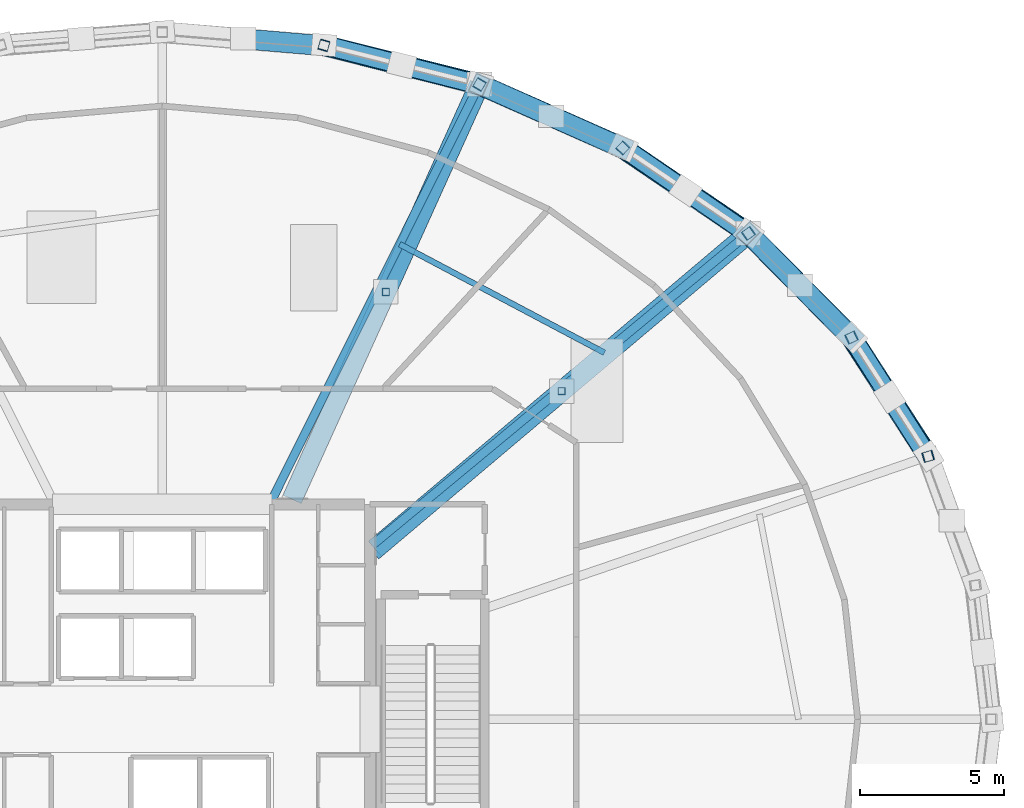
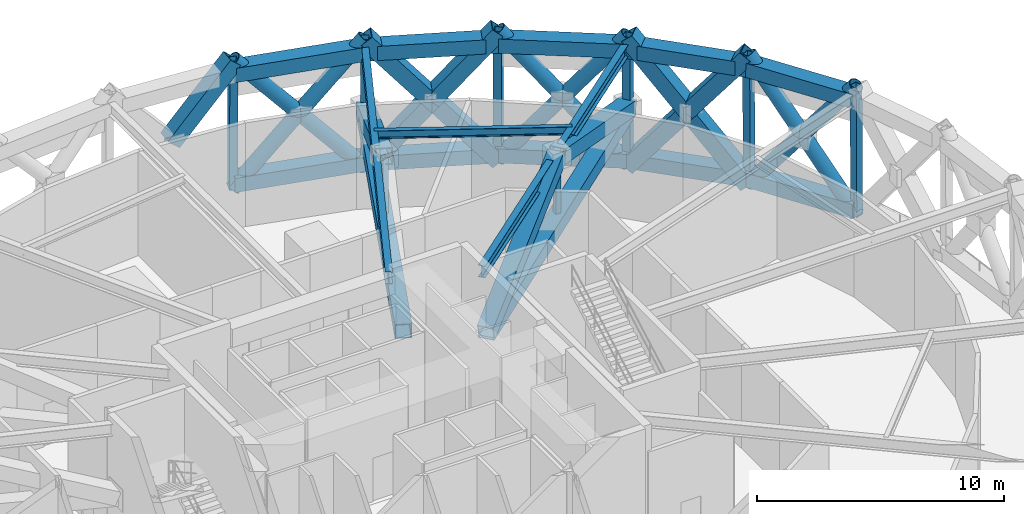
# One storey, part 6 of 15: 27 members, 15 beams.
"""IFC4 building model written with IfcOpenShell, lengths in metres."""

from ifc_helpers import new_model, si_unit, direction, frame, origin, origin_2d, place, context, subcontext, project, spatial, hollow_rectangle, hollow_circle, i_section, extrude, material, material_profile, profile_set, type_object, element, save


model = new_model("IFC4")

# Units and contexts
model_context = context("Model", 3, precision=1e-05, world=origin(), true_north=direction((0.0, 1.0)))
body_context = subcontext(model_context, "Body", "Model", "MODEL_VIEW")
ifc_project = project(units=[si_unit("LENGTHUNIT", "METRE"), si_unit("AREAUNIT", "SQUARE_METRE"), si_unit("VOLUMEUNIT", "CUBIC_METRE"), si_unit("PLANEANGLEUNIT", "RADIAN"), si_unit("MASSUNIT", "GRAM", prefix="KILO")], contexts=[model_context])

# Site, building, storey
site_placement = place(None, origin())
site = spatial("IfcSite", under=ifc_project, at=site_placement, CompositionType="ELEMENT")
building_placement = place(site_placement, origin())
building = spatial("IfcBuilding", under=site, at=building_placement, Name="Veldorina Hangang Commons", CompositionType="ELEMENT")
storey_placement = place(building_placement, frame((0.0, 0.0, 110.800048828125)))
storey = spatial("IfcBuildingStorey", under=building, at=storey_placement, Name="L28", CompositionType="ELEMENT", Elevation=110.800048828125)

# Beams
ifc_material_1 = material(Name="Steel SM460-TMC", Category="steel")
ifc_material_profile_1 = material_profile(ifc_material_1, hollow_rectangle(XDim=0.699951171875, YDim=0.699951171875, WallThickness=0.034912109375, at=origin_2d()), Name="BOX-700x700x35")
ifc_profile_set_1 = profile_set([ifc_material_profile_1], Name="Steel SM460-TMC")
beam_type_1 = type_object("IfcBeamType", Name="BM-BLT700", PredefinedType="BEAM", material=ifc_profile_set_1)
beam_1_placement = place(storey_placement, frame((58.524658203125, 33.106689453125, 5.800048828125), z_axis=(-0.541941702244, 0.840416082288, 0.0), x_axis=(-0.840416082288, -0.541941702244, 0.0)))
element("IfcBeam", 1, at=beam_1_placement, inside=storey, type_object=beam_type_1, Name="L28 perimeter hoop ring beam 02", PredefinedType="BEAM", context=body_context, shape_type="SweptSolid", body=[
    extrude(hollow_rectangle(XDim=0.699951171875, YDim=0.699951171875, WallThickness=0.034912109375, at=origin_2d()), origin(), (0.0, 0.0, 1.0), 4.8955078125),
])
beam_2_placement = place(storey_placement, frame((55.87158203125, 37.220947265625, 5.800048828125), z_axis=(-0.703561848437, 0.710634030584, 0.0), x_axis=(-0.710634030584, -0.703561848437, 0.0)))
element("IfcBeam", 2, at=beam_2_placement, inside=storey, type_object=beam_type_1, Name="L28 perimeter hoop ring beam 03", PredefinedType="BEAM", context=body_context, shape_type="SweptSolid", body=[
    extrude(hollow_rectangle(XDim=0.699951171875, YDim=0.699951171875, WallThickness=0.034912109375, at=origin_2d()), origin(), (0.0, 0.0, 1.0), 5.07470703125),
])
beam_3_placement = place(storey_placement, frame((52.30126953125, 40.8271484375, 5.800048828125), z_axis=(-0.82684623749, 0.56242803944, 0.0), x_axis=(-0.56242803944, -0.82684623749, 0.0)))
element("IfcBeam", 3, at=beam_3_placement, inside=storey, type_object=beam_type_1, Name="L28 perimeter hoop ring beam 04", PredefinedType="BEAM", context=body_context, shape_type="SweptSolid", body=[
    extrude(hollow_rectangle(XDim=0.699951171875, YDim=0.699951171875, WallThickness=0.034912109375, at=origin_2d()), origin(), (0.0, 0.0, 1.0), 5.261962890625),
])
beam_4_placement = place(storey_placement, frame((47.950439453125, 43.78662109375, 5.800048828125), z_axis=(-0.914294911921, 0.405049150149, 0.0), x_axis=(-0.405049150149, -0.914294911921, 0.0)))
element("IfcBeam", 4, at=beam_4_placement, inside=storey, type_object=beam_type_1, Name="L28 perimeter hoop ring beam 05", PredefinedType="BEAM", context=body_context, shape_type="SweptSolid", body=[
    extrude(hollow_rectangle(XDim=0.699951171875, YDim=0.699951171875, WallThickness=0.034912109375, at=origin_2d()), origin(), (0.0, 0.0, 1.0), 5.428955078125),
])
beam_5_placement = place(storey_placement, frame((42.98681640625, 45.985595703125, 5.800048828125), z_axis=(-0.969810585596, 0.243859443259, 0.0), x_axis=(-0.243859443259, -0.969810585596, 0.0)))
element("IfcBeam", 5, at=beam_5_placement, inside=storey, type_object=beam_type_1, Name="L28 perimeter hoop ring beam 06", PredefinedType="BEAM", context=body_context, shape_type="SweptSolid", body=[
    extrude(hollow_rectangle(XDim=0.699951171875, YDim=0.699951171875, WallThickness=0.034912109375, at=origin_2d()), origin(), (0.0, 0.0, 1.0), 5.553466796875),
])
beam_6_placement = place(storey_placement, frame((58.55712890625, 33.1162109375, 0.349853515625), z_axis=(-0.542013393929, 0.840369847628, 0.0), x_axis=(-0.840369847628, -0.542013393929, 0.0)))
element("IfcBeam", 6, at=beam_6_placement, inside=storey, type_object=beam_type_1, Name="L28 perimeter belt truss bottom chord 02", PredefinedType="BEAM", context=body_context, shape_type="SweptSolid", body=[
    extrude(hollow_rectangle(XDim=0.699951171875, YDim=0.699951171875, WallThickness=0.034912109375, at=origin_2d()), origin(), (0.0, 0.0, 1.0), 4.900634765625),
])
beam_7_placement = place(storey_placement, frame((55.90087890625, 37.234619140625, 0.349853515625), z_axis=(-0.70366253431, 0.710534332603, 0.0), x_axis=(-0.710534332603, -0.70366253431, 0.0)))
element("IfcBeam", 7, at=beam_7_placement, inside=storey, type_object=beam_type_1, Name="L28 perimeter belt truss bottom chord 03", PredefinedType="BEAM", context=body_context, shape_type="SweptSolid", body=[
    extrude(hollow_rectangle(XDim=0.699951171875, YDim=0.699951171875, WallThickness=0.034912109375, at=origin_2d()), origin(), (0.0, 0.0, 1.0), 5.08056640625),
])
beam_8_placement = place(storey_placement, frame((52.325927734375, 40.844482421875, 0.349853515625), z_axis=(-0.826895468629, 0.562355656112, 0.0), x_axis=(-0.562355656112, -0.826895468629, 0.0)))
element("IfcBeam", 8, at=beam_8_placement, inside=storey, type_object=beam_type_1, Name="L28 perimeter belt truss bottom chord 04", PredefinedType="BEAM", context=body_context, shape_type="SweptSolid", body=[
    extrude(hollow_rectangle(XDim=0.699951171875, YDim=0.699951171875, WallThickness=0.034912109375, at=origin_2d()), origin(), (0.0, 0.0, 1.0), 5.267822265625),
])
beam_9_placement = place(storey_placement, frame((47.969970703125, 43.806884765625, 0.349853515625), z_axis=(-0.914312800073, 0.40500876981, 0.0), x_axis=(-0.40500876981, -0.914312800073, 0.0)))
element("IfcBeam", 9, at=beam_9_placement, inside=storey, type_object=beam_type_1, Name="L28 perimeter belt truss bottom chord 05", PredefinedType="BEAM", context=body_context, shape_type="SweptSolid", body=[
    extrude(hollow_rectangle(XDim=0.699951171875, YDim=0.699951171875, WallThickness=0.034912109375, at=origin_2d()), origin(), (0.0, 0.0, 1.0), 5.435546875),
])
beam_10_placement = place(storey_placement, frame((43.000244140625, 46.00830078125, 0.349853515625), z_axis=(-0.969818780043, 0.243826852247, 0.0), x_axis=(-0.243826852247, -0.969818780043, 0.0)))
element("IfcBeam", 10, at=beam_10_placement, inside=storey, type_object=beam_type_1, Name="L28 perimeter belt truss bottom chord 06", PredefinedType="BEAM", context=body_context, shape_type="SweptSolid", body=[
    extrude(hollow_rectangle(XDim=0.699951171875, YDim=0.699951171875, WallThickness=0.034912109375, at=origin_2d()), origin(), (0.0, 0.0, 1.0), 5.56005859375),
])
beam_11_placement = place(storey_placement, frame((39.3701171875, 29.89990234375, 2.849853515625), z_axis=(0.763858806118, 0.645383393275, 0.0), x_axis=(-0.645383393275, 0.763858806118, 0.0)))
element("IfcBeam", 11, at=beam_11_placement, inside=storey, type_object=beam_type_1, Name="L28 outrigger chord 01", PredefinedType="BEAM", context=body_context, shape_type="SweptSolid", body=[
    extrude(hollow_rectangle(XDim=0.699951171875, YDim=0.699951171875, WallThickness=0.034912109375, at=origin_2d()), origin(), (0.0, 0.0, 1.0), 16.945068359375),
])
beam_12_placement = place(storey_placement, frame((36.5, 31.6201171875, 2.849853515625), z_axis=(0.411624869804, 0.91135337085, 0.0), x_axis=(-0.91135337085, 0.411624869804, 0.0)))
element("IfcBeam", 12, at=beam_12_placement, inside=storey, type_object=beam_type_1, Name="L28 outrigger chord 02", PredefinedType="BEAM", context=body_context, shape_type="SweptSolid", body=[
    extrude(hollow_rectangle(XDim=0.699951171875, YDim=0.699951171875, WallThickness=0.034912109375, at=origin_2d()), origin(), (0.0, 0.0, 1.0), 15.775634765625),
])
ifc_material_profile_2 = material_profile(ifc_material_1, i_section(OverallWidth=0.300048828125, OverallDepth=0.587890625, WebThickness=0.011962890625, FlangeThickness=0.02001953125, FilletRadius=0.01806640625, at=origin_2d()), Name="H-588x300x12x20")
ifc_profile_set_2 = profile_set([ifc_material_profile_2], Name="Steel SM460-TMC")
beam_type_2 = type_object("IfcBeamType", Name="BM-FG588", PredefinedType="BEAM", material=ifc_profile_set_2)
beam_13_placement = place(storey_placement, frame((39.199951171875, 29.968017578125, 5.85595703125), z_axis=(0.769913202831, 0.638148619137, 0.0), x_axis=(-0.638148619137, 0.769913202831, 0.0)))
element("IfcBeam", 13, at=beam_13_placement, inside=storey, type_object=beam_type_2, Name="L28 radial floor girder 03", PredefinedType="BEAM", context=body_context, shape_type="SweptSolid", body=[
    extrude(i_section(OverallWidth=0.300048828125, OverallDepth=0.587890625, WebThickness=0.011962890625, FlangeThickness=0.02001953125, FilletRadius=0.01806640625, at=origin_2d()), origin(), (0.0, 0.0, 1.0), 17.0166015625),
])
beam_14_placement = place(storey_placement, frame((35.722900390625, 31.449951171875, 5.85595703125), z_axis=(0.447021272714, 0.89452332655, 0.0), x_axis=(-0.89452332655, 0.447021272714, 0.0)))
element("IfcBeam", 14, at=beam_14_placement, inside=storey, type_object=beam_type_2, Name="L28 radial floor girder 04", PredefinedType="BEAM", context=body_context, shape_type="SweptSolid", body=[
    extrude(i_section(OverallWidth=0.300048828125, OverallDepth=0.587890625, WebThickness=0.011962890625, FlangeThickness=0.02001953125, FilletRadius=0.01806640625, at=origin_2d()), origin(), (0.0, 0.0, 1.0), 16.24951171875),
])
ifc_material_2 = material(Name="Steel SM355-TMC", Category="steel")
ifc_material_profile_3 = material_profile(ifc_material_2, i_section(OverallWidth=0.199951171875, OverallDepth=0.39990234375, WebThickness=0.008056640625, FlangeThickness=0.012939453125, FilletRadius=0.012939453125, at=origin_2d()), Name="H-400x200x8x13")
ifc_profile_set_3 = profile_set([ifc_material_profile_3], Name="Steel SM355-TMC")
beam_type_3 = type_object("IfcBeamType", Name="BM-JST400", PredefinedType="JOIST", material=ifc_profile_set_3)
beam_15_placement = place(storey_placement, frame((47.32275390625, 36.70068359375, 5.949951171875), z_axis=(-0.883547491479, 0.46834157439, 0.0), x_axis=(-0.46834157439, -0.883547491479, 0.0)))
element("IfcBeam", 15, at=beam_15_placement, inside=storey, type_object=beam_type_3, Name="L28 secondary floor joist 03", PredefinedType="JOIST", context=body_context, shape_type="SweptSolid", body=[
    extrude(i_section(OverallWidth=0.199951171875, OverallDepth=0.39990234375, WebThickness=0.008056640625, FlangeThickness=0.012939453125, FilletRadius=0.012939453125, at=origin_2d()), origin(), (0.0, 0.0, 1.0), 8.031494140625),
])

# Members
ifc_material_profile_4 = material_profile(ifc_material_1, hollow_circle(Radius=0.324951171875, WallThickness=0.031982421875, at=origin_2d()), Name="CHS-650x32")
ifc_profile_set_4 = profile_set([ifc_material_profile_4], Name="Steel SM460-TMC")
member_type_1 = type_object("IfcMemberType", Name="DG-CHS650", PredefinedType="BRACE", material=ifc_profile_set_4)
member_1_placement = place(storey_placement, frame((58.55712890625, 33.1162109375, 0.0), z_axis=(-0.333404230763, 0.508856239234, 0.793666773087), x_axis=(-0.836449329173, -0.548044268035, 0.0)))
element("IfcMember", 16, at=member_1_placement, inside=storey, type_object=member_type_1, Name="L28 continuous perimeter diagrid brace 02", PredefinedType="BRACE", context=body_context, shape_type="SweptSolid", body=[
    extrude(hollow_circle(Radius=0.324951171875, WallThickness=0.031982421875, at=origin_2d()), origin(), (0.0, 0.0, 1.0), 8.063720703125),
])
member_2_placement = place(storey_placement, frame((55.90087890625, 37.234619140625, 0.0), z_axis=(0.325357923419, -0.512575052538, 0.794612507569), x_axis=(0.844277321065, 0.535906526491, 0.0)))
element("IfcMember", 17, at=member_2_placement, inside=storey, type_object=member_type_1, Name="L28 split perimeter diagrid lower brace 03", PredefinedType="BRACE", context=body_context, shape_type="SweptSolid", body=[
    extrude(hollow_circle(Radius=0.324951171875, WallThickness=0.031982421875, at=origin_2d()), origin(), (0.0, 0.0, 1.0), 4.029541015625),
])
member_3_placement = place(storey_placement, frame((57.2119140625, 35.169189453125, 3.201904296875), z_axis=(0.325310104017, -0.512683386006, 0.794562195136), x_axis=(0.84436418494, 0.535769654973, 0.0)))
element("IfcMember", 18, at=member_3_placement, inside=storey, type_object=member_type_1, Name="L28 split perimeter diagrid upper brace 03", PredefinedType="BRACE", context=body_context, shape_type="SweptSolid", body=[
    extrude(hollow_circle(Radius=0.324951171875, WallThickness=0.031982421875, at=origin_2d()), origin(), (0.0, 0.0, 1.0), 4.02490234375),
])
member_4_placement = place(storey_placement, frame((52.325927734375, 40.844482421875, 0.0), z_axis=(-0.527885556882, 0.354534181594, 0.771778694262), x_axis=(-0.557539039616, -0.830150720836, 0.0)))
element("IfcMember", 19, at=member_4_placement, inside=storey, type_object=member_type_1, Name="L28 continuous perimeter diagrid brace 04", PredefinedType="BRACE", context=body_context, shape_type="SweptSolid", body=[
    extrude(hollow_circle(Radius=0.324951171875, WallThickness=0.031982421875, at=origin_2d()), origin(), (0.0, 0.0, 1.0), 8.29248046875),
])
member_5_placement = place(storey_placement, frame((47.969970703125, 43.806884765625, 0.0), z_axis=(0.522712583066, -0.359965186558, 0.772784976543), x_axis=(0.567170909608, 0.82360012099, 0.0)))
element("IfcMember", 20, at=member_5_placement, inside=storey, type_object=member_type_1, Name="L28 split perimeter diagrid lower brace 05", PredefinedType="BRACE", context=body_context, shape_type="SweptSolid", body=[
    extrude(hollow_circle(Radius=0.324951171875, WallThickness=0.031982421875, at=origin_2d()), origin(), (0.0, 0.0, 1.0), 4.143310546875),
])
member_6_placement = place(storey_placement, frame((50.1357421875, 42.3154296875, 3.201904296875), z_axis=(0.522634859248, -0.360104208246, 0.772772775854), x_axis=(0.567376675498, 0.823458382738, 0.0)))
element("IfcMember", 21, at=member_6_placement, inside=storey, type_object=member_type_1, Name="L28 split perimeter diagrid upper brace 05", PredefinedType="BRACE", context=body_context, shape_type="SweptSolid", body=[
    extrude(hollow_circle(Radius=0.324951171875, WallThickness=0.031982421875, at=origin_2d()), origin(), (0.0, 0.0, 1.0), 4.138427734375),
])
member_7_placement = place(storey_placement, frame((43.000244140625, 46.00830078125, 0.0), z_axis=(-0.636896943697, 0.156762228117, 0.754842955153), x_axis=(-0.23900121597, -0.971019267968, 0.0)))
element("IfcMember", 22, at=member_7_placement, inside=storey, type_object=member_type_1, Name="L28 continuous perimeter diagrid brace 06", PredefinedType="BRACE", context=body_context, shape_type="SweptSolid", body=[
    extrude(hollow_circle(Radius=0.324951171875, WallThickness=0.031982421875, at=origin_2d()), origin(), (0.0, 0.0, 1.0), 8.478515625),
])
member_8_placement = place(storey_placement, frame((37.60791015625, 47.364013671875, 0.0), z_axis=(0.634718045653, -0.162926898752, 0.755372641936), x_axis=(0.248631194084, 0.968598229055, 0.0)))
element("IfcMember", 23, at=member_8_placement, inside=storey, type_object=member_type_1, Name="L28 split perimeter diagrid lower brace 07", PredefinedType="BRACE", context=body_context, shape_type="SweptSolid", body=[
    extrude(hollow_circle(Radius=0.324951171875, WallThickness=0.031982421875, at=origin_2d()), origin(), (0.0, 0.0, 1.0), 4.2392578125),
])
member_9_placement = place(storey_placement, frame((40.298583984375, 46.67333984375, 3.2021484375), z_axis=(0.634717082845, -0.162975692906, 0.755362924869), x_axis=(0.248701404356, 0.968580203944, 0.0)))
element("IfcMember", 24, at=member_9_placement, inside=storey, type_object=member_type_1, Name="L28 split perimeter diagrid upper brace 07", PredefinedType="BRACE", context=body_context, shape_type="SweptSolid", body=[
    extrude(hollow_circle(Radius=0.324951171875, WallThickness=0.031982421875, at=origin_2d()), origin(), (0.0, 0.0, 1.0), 4.2333984375),
])
ifc_material_profile_5 = material_profile(ifc_material_1, hollow_rectangle(XDim=0.699951171875, YDim=0.699951171875, WallThickness=0.034912109375, at=origin_2d()), Name="BOX-700x700x35")
ifc_profile_set_5 = profile_set([ifc_material_profile_5], Name="Steel SM460-TMC")
member_type_2 = type_object("IfcMemberType", Name="OR-BOX700", PredefinedType="BRACE", material=ifc_profile_set_5)
member_10_placement = place(storey_placement, frame((55.90087890625, 37.234619140625, 0.0), z_axis=(-0.440657946951, 0.439224427367, 0.782880882506), x_axis=(-0.705953813665, -0.708257871804, 0.0)))
element("IfcMember", 25, at=member_10_placement, inside=storey, type_object=member_type_2, Name="L28 belt truss continuous brace 03", PredefinedType="BRACE", context=body_context, shape_type="SweptSolid", body=[
    extrude(hollow_rectangle(XDim=0.699951171875, YDim=0.699951171875, WallThickness=0.034912109375, at=origin_2d()), origin(), (0.0, 0.0, 1.0), 8.1748046875),
])
member_11_placement = place(storey_placement, frame((52.325927734375, 40.844482421875, 0.0), z_axis=(0.434004843577, -0.443986775663, 0.783910415027), x_axis=(0.715099700986, 0.699022472922, 0.0)))
element("IfcMember", 26, at=member_11_placement, inside=storey, type_object=member_type_2, Name="L28 belt truss split lower brace 04", PredefinedType="BRACE", context=body_context, shape_type="SweptSolid", body=[
    extrude(hollow_rectangle(XDim=0.699951171875, YDim=0.699951171875, WallThickness=0.034912109375, at=origin_2d()), origin(), (0.0, 0.0, 1.0), 4.08447265625),
])
member_12_placement = place(storey_placement, frame((54.0986328125, 39.031005859375, 3.201904296875), z_axis=(0.433888559331, -0.444062497964, 0.783931894991), x_axis=(0.715252905924, 0.698865709966, 0.0)))
element("IfcMember", 27, at=member_12_placement, inside=storey, type_object=member_type_2, Name="L28 belt truss split upper brace 04", PredefinedType="BRACE", context=body_context, shape_type="SweptSolid", body=[
    extrude(hollow_rectangle(XDim=0.699951171875, YDim=0.699951171875, WallThickness=0.034912109375, at=origin_2d()), origin(), (0.0, 0.0, 1.0), 4.079345703125),
])
member_13_placement = place(storey_placement, frame((47.969970703125, 43.806884765625, 0.0), z_axis=(-0.593462275041, 0.259145581014, 0.76200137529), x_axis=(-0.400178233075, -0.916437331067, 0.0)))
element("IfcMember", 28, at=member_13_placement, inside=storey, type_object=member_type_2, Name="L28 belt truss continuous brace 05", PredefinedType="BRACE", context=body_context, shape_type="SweptSolid", body=[
    extrude(hollow_rectangle(XDim=0.699951171875, YDim=0.699951171875, WallThickness=0.034912109375, at=origin_2d()), origin(), (0.0, 0.0, 1.0), 8.39892578125),
])
member_14_placement = place(storey_placement, frame((43.000244140625, 46.00830078125, 0.0), z_axis=(0.589796821865, -0.265033440217, 0.762821725232), x_axis=(0.409882167329, 0.912138481211, 0.0)))
element("IfcMember", 29, at=member_14_placement, inside=storey, type_object=member_type_2, Name="L28 belt truss split lower brace 06", PredefinedType="BRACE", context=body_context, shape_type="SweptSolid", body=[
    extrude(hollow_rectangle(XDim=0.699951171875, YDim=0.699951171875, WallThickness=0.034912109375, at=origin_2d()), origin(), (0.0, 0.0, 1.0), 4.19775390625),
])
member_15_placement = place(storey_placement, frame((45.47607421875, 44.895751953125, 3.2021484375), z_axis=(0.58978226074, -0.265102088564, 0.762809129177), x_axis=(0.409978912402, 0.912095001294, 0.0)))
element("IfcMember", 30, at=member_15_placement, inside=storey, type_object=member_type_2, Name="L28 belt truss split upper brace 06", PredefinedType="BRACE", context=body_context, shape_type="SweptSolid", body=[
    extrude(hollow_rectangle(XDim=0.699951171875, YDim=0.699951171875, WallThickness=0.034912109375, at=origin_2d()), origin(), (0.0, 0.0, 1.0), 4.192138671875),
])
member_16_placement = place(storey_placement, frame((34.802001953125, 47.579345703125, 3.2021484375), z_axis=(0.657480406743, -0.056845496692, 0.751324233774), x_axis=(0.086138252024, 0.996283193444, 0.0)))
element("IfcMember", 31, at=member_16_placement, inside=storey, type_object=member_type_2, Name="L28 belt truss split upper brace 08", PredefinedType="BRACE", context=body_context, shape_type="SweptSolid", body=[
    extrude(hollow_rectangle(XDim=0.699951171875, YDim=0.699951171875, WallThickness=0.034912109375, at=origin_2d()), origin(), (0.0, 0.0, 1.0), 4.256103515625),
])
member_17_placement = place(storey_placement, frame((39.3701171875, 29.89990234375, 2.849853515625), z_axis=(0.715965277073, 0.604929617874, 0.348502337788), x_axis=(-0.645390496113, 0.763852804883, 0.0)))
element("IfcMember", 32, at=member_17_placement, inside=storey, type_object=member_type_2, Name="L28 outrigger inner web diagonal 01", PredefinedType="BRACE", context=body_context, shape_type="SweptSolid", body=[
    extrude(hollow_rectangle(XDim=0.699951171875, YDim=0.699951171875, WallThickness=0.034912109375, at=origin_2d()), origin(), (0.0, 0.0, 1.0), 9.0390625),
])
member_18_placement = place(storey_placement, frame((45.841796875, 35.367919921875, 6.0), z_axis=(0.715978440905, 0.604917919988, -0.348495598589), x_axis=(-0.645376290538, 0.763864807156, 0.0)))
element("IfcMember", 33, at=member_18_placement, inside=storey, type_object=member_type_2, Name="L28 outrigger outer web diagonal 01", PredefinedType="BRACE", context=body_context, shape_type="SweptSolid", body=[
    extrude(hollow_rectangle(XDim=0.699951171875, YDim=0.699951171875, WallThickness=0.034912109375, at=origin_2d()), origin(), (0.0, 0.0, 1.0), 9.039306640625),
])
member_19_placement = place(storey_placement, frame((39.746826171875, 38.80859375, 6.0), z_axis=(0.382262691815, 0.846358745807, -0.3708801799), x_axis=(-0.911355992934, 0.411619064358, 0.0)))
element("IfcMember", 34, at=member_19_placement, inside=storey, type_object=member_type_2, Name="L28 outrigger outer web diagonal 02", PredefinedType="BRACE", context=body_context, shape_type="SweptSolid", body=[
    extrude(hollow_rectangle(XDim=0.699951171875, YDim=0.699951171875, WallThickness=0.034912109375, at=origin_2d()), origin(), (0.0, 0.0, 1.0), 8.49365234375),
])
ifc_material_profile_6 = material_profile(ifc_material_2, hollow_rectangle(XDim=0.25, YDim=0.25, WallThickness=0.011962890625, at=origin_2d()), Name="SHS-250x250x12")
ifc_profile_set_6 = profile_set([ifc_material_profile_6], Name="Steel SM355-TMC")
member_type_3 = type_object("IfcMemberType", Name="STR-SHS250", PredefinedType="STRUT", material=ifc_profile_set_6)
for number, where, z_axis, x_axis, name in (
    (35, (45.841796875, 35.367919921875, 2.849853515625), (0.0, 0.0, 1.0), (1.0, 0.0, 0.0), "L28 outrigger mid vertical strut 01"),
    (36, (39.746826171875, 38.80859375, 2.849853515625), (0.0, 0.0, 1.0), (1.0, 0.0, 0.0), "L28 outrigger mid vertical strut 02"),
):
    element("IfcMember", number, at=place(storey_placement, frame(where, z_axis=z_axis, x_axis=x_axis)), inside=storey, type_object=member_type_3, Name=name, PredefinedType="STRUT", context=body_context, shape_type="SweptSolid", body=[
        extrude(hollow_rectangle(XDim=0.25, YDim=0.25, WallThickness=0.011962890625, at=origin_2d()), origin(), (0.0, 0.0, 1.0), 3.150146484375),
    ])
ifc_material_profile_7 = material_profile(ifc_material_2, hollow_rectangle(XDim=0.35009765625, YDim=0.35009765625, WallThickness=0.01611328125, at=origin_2d()), Name="SHS-350x350x16")
ifc_profile_set_7 = profile_set([ifc_material_profile_7], Name="Steel SM355-TMC")
member_type_4 = type_object("IfcMemberType", Name="STR-SHS350", PredefinedType="STRUT", material=ifc_profile_set_7)
for number, where, z_axis, x_axis, name in (
    (37, (58.55712890625, 33.1162109375, 0.0), (-0.005607594835, -0.001640316856, 0.999982931975), (0.280752068438, -0.959780326985, 0.0), "L28 perimeter ring node post 02"),
    (38, (55.90087890625, 37.234619140625, 0.0), (-0.005035399304, -0.002365111794, 0.99998452538), (0.425136471467, -0.905129261834, 0.0), "L28 perimeter ring node post 03"),
    (39, (52.325927734375, 40.844482421875, 0.0), (-0.004272467734, -0.003013615634, 0.999986331977), (0.576396707797, -0.817170016117, 0.0), "L28 perimeter ring node post 04"),
    (40, (47.969970703125, 43.806884765625, 0.0), (-0.003356945228, -0.003509533648, 0.999988206977), (0.722641857148, -0.691222645967, 0.0), "L28 perimeter ring node post 05"),
    (41, (43.000244140625, 46.00830078125, 0.0), (-0.002288829962, -0.003891010936, 0.999989810594), (0.861934215158, -0.507020126563, 0.0), "L28 perimeter ring node post 06"),
    (42, (37.60791015625, 47.364013671875, 0.0), (-0.001182563147, -0.004158044614, 0.999990656061), (0.96185623635, -0.273555443366, 0.0), "L28 perimeter ring node post 07"),
):
    element("IfcMember", number, at=place(storey_placement, frame(where, z_axis=z_axis, x_axis=x_axis)), inside=storey, type_object=member_type_4, Name=name, PredefinedType="STRUT", context=body_context, shape_type="SweptSolid", body=[
        extrude(hollow_rectangle(XDim=0.35009765625, YDim=0.35009765625, WallThickness=0.01611328125, at=origin_2d()), origin(), (0.0, 0.0, 1.0), 6.39990234375),
    ])

save(model, "model.ifc")
